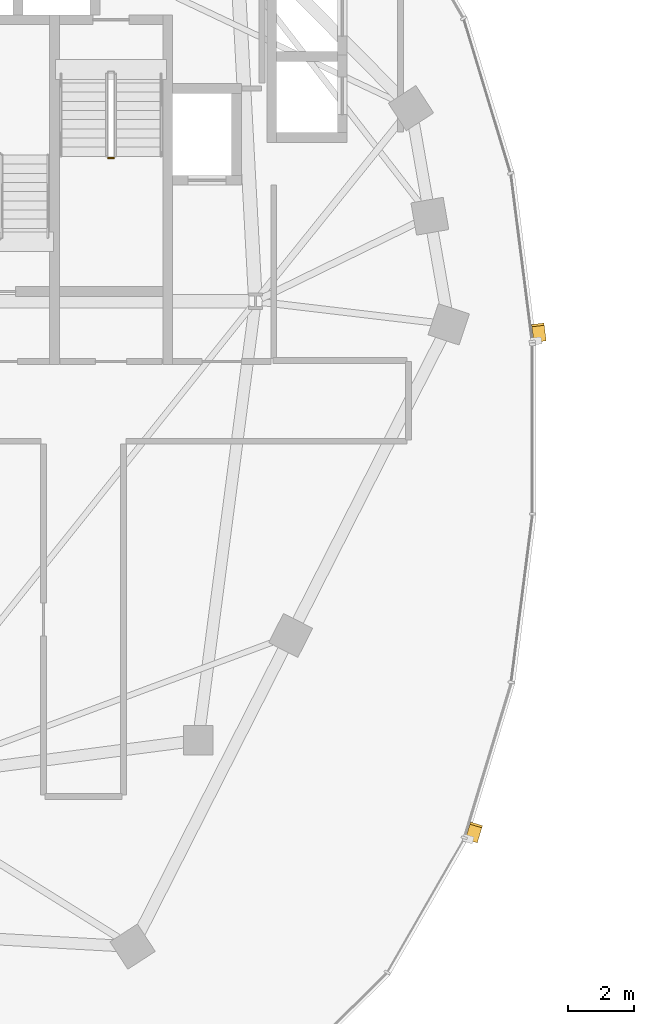
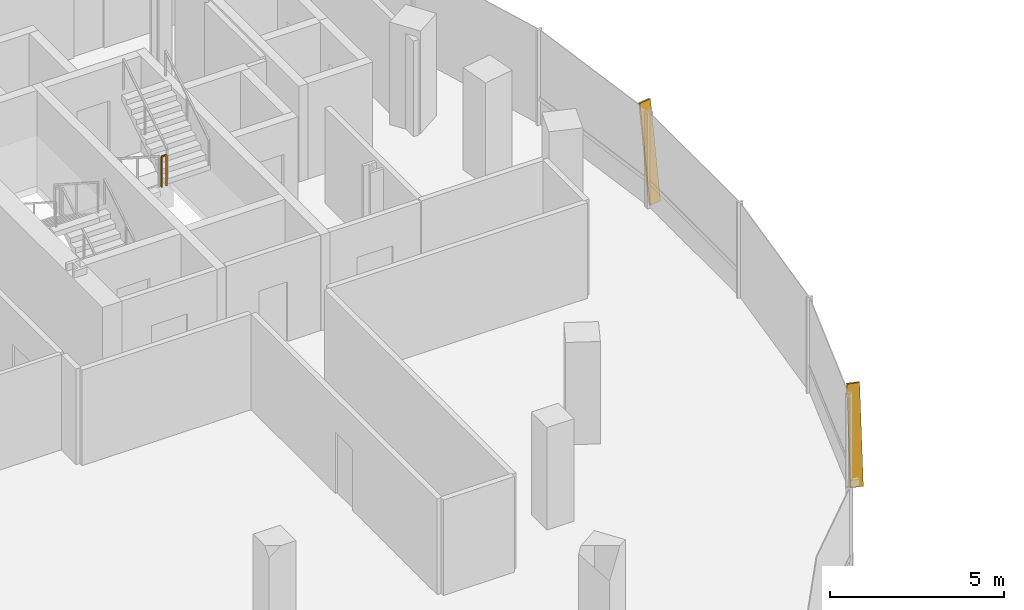
# One storey, part 18 of 21: 2 shading devices, 1 railing.
"""IFC4 building model written with IfcOpenShell, lengths in metres."""

from ifc_helpers import new_model, si_unit, direction, frame, origin, origin_2d, place, context, subcontext, project, spatial, rectangle, extrude, material, material_profile, profile_set, type_object, element, save


model = new_model("IFC4")

# Units and contexts
model_context = context("Model", 3, precision=1e-05, world=origin(), true_north=direction((0.0, 1.0)))
body_context = subcontext(model_context, "Body", "Model", "MODEL_VIEW")
ifc_project = project(units=[si_unit("LENGTHUNIT", "METRE"), si_unit("AREAUNIT", "SQUARE_METRE"), si_unit("VOLUMEUNIT", "CUBIC_METRE"), si_unit("PLANEANGLEUNIT", "RADIAN"), si_unit("MASSUNIT", "GRAM", prefix="KILO"), si_unit("THERMODYNAMICTEMPERATUREUNIT", "KELVIN"), si_unit("POWERUNIT", "WATT")], contexts=[model_context])

# Site, building, storey
site_placement = place(None, origin())
site = spatial("IfcSite", under=ifc_project, at=site_placement, CompositionType="ELEMENT")
building_placement = place(site_placement, origin())
building = spatial("IfcBuilding", under=site, at=building_placement, Name="Cundina Bronze Exchange", CompositionType="ELEMENT")
storey_placement = place(building_placement, frame((0.0, 0.0, 180.0)))
storey = spatial("IfcBuildingStorey", under=building, at=storey_placement, Name="L47", CompositionType="ELEMENT", Elevation=180.0)

# Railing
ifc_material_1 = material(Name="Steel ASTM A36 Painted", Category="steel")
railing_type = type_object("IfcRailingType", Name="RLG-STG-1100", PredefinedType="GUARDRAIL", material=ifc_material_1)
railing_placement = place(storey_placement, frame((-25.93994140625, 8.280029296875, 1.800048828125)))
element("IfcRailing", 1, at=railing_placement, inside=storey, type_object=railing_type, Name="L47 ST-W2 stair guard 2", PredefinedType="GUARDRAIL", context=body_context, shape_type="SweptSolid", body=[
    extrude(rectangle(XDim=0.048095703125, YDim=0.048095703125, at=origin_2d()), frame((0.0, 0.0, 1.076171875), z_axis=(1.0, 0.0, 0.0), x_axis=(0.0, 1.0, 0.0)), (0.0, 0.0, 1.0), 0.159912109375),
    extrude(rectangle(XDim=0.0419921875, YDim=0.0419921875, at=origin_2d()), origin(), (0.0, 0.0, 1.0), 1.052001953125),
    extrude(rectangle(XDim=0.0419921875, YDim=0.0419921875, at=origin_2d()), frame((0.159912109375, 0.0, 0.0)), (0.0, 0.0, 1.0), 1.052001953125),
])

# Shading devices
ifc_material_2 = material(Name="Anodised Bronze Aluminium 6063-T6", Category="aluminium")
ifc_material_profile = material_profile(ifc_material_2, rectangle(XDim=0.070068359375, YDim=0.3798828125, at=origin_2d()), Name="FIN70X380", Category="aluminium")
ifc_profile_set = profile_set([ifc_material_profile], Name="Anodised Bronze Aluminium 6063-T6")
shading_device_type = type_object("IfcShadingDeviceType", Name="SHD-FIN-BRZ380", PredefinedType="USERDEFINED", material=ifc_profile_set)
for number, where, z_axis, x_axis, name in (
    (2, (-12.76513671875, 2.705810546875, 0.02001953125), (-0.018121805099, 0.141917750773, 0.989712560391), (0.125360789044, -0.981741119016, 0.143070080046), "L47 Diagonal Bronze Solar Fin 1"),
    (3, (-14.848876953125, -12.5439453125, 0.02001953125), (0.041483395017, 0.136967981441, 0.989706471636), (-0.286882504107, -0.947215566191, 0.143112193758), "L47 Diagonal Bronze Solar Fin 5"),
):
    element("IfcShadingDevice", number, at=place(storey_placement, frame(where, z_axis=z_axis, x_axis=x_axis)), inside=storey, type_object=shading_device_type, Name=name, ObjectType="FIN", PredefinedType="USERDEFINED", context=body_context, shape_type="SweptSolid", body=[
        extrude(rectangle(XDim=0.070068359375, YDim=0.3798828125, at=origin_2d()), origin(), (0.0, 0.0, 1.0), 3.3544921875),
    ])

save(model, "model.ifc")
